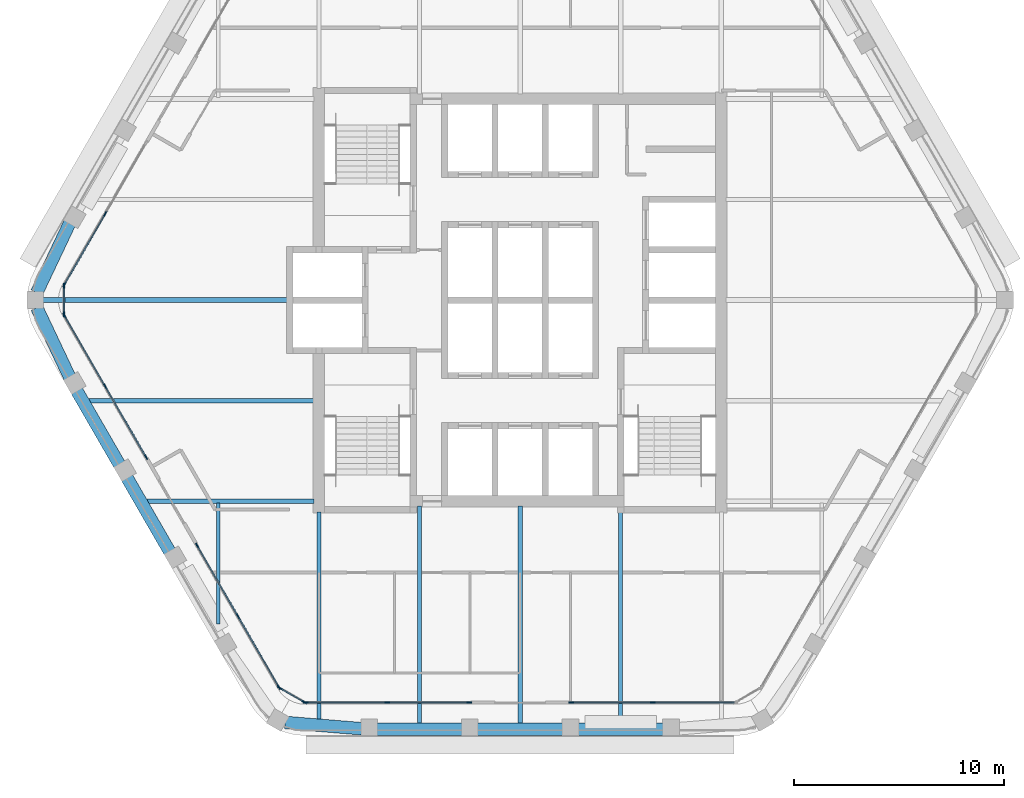
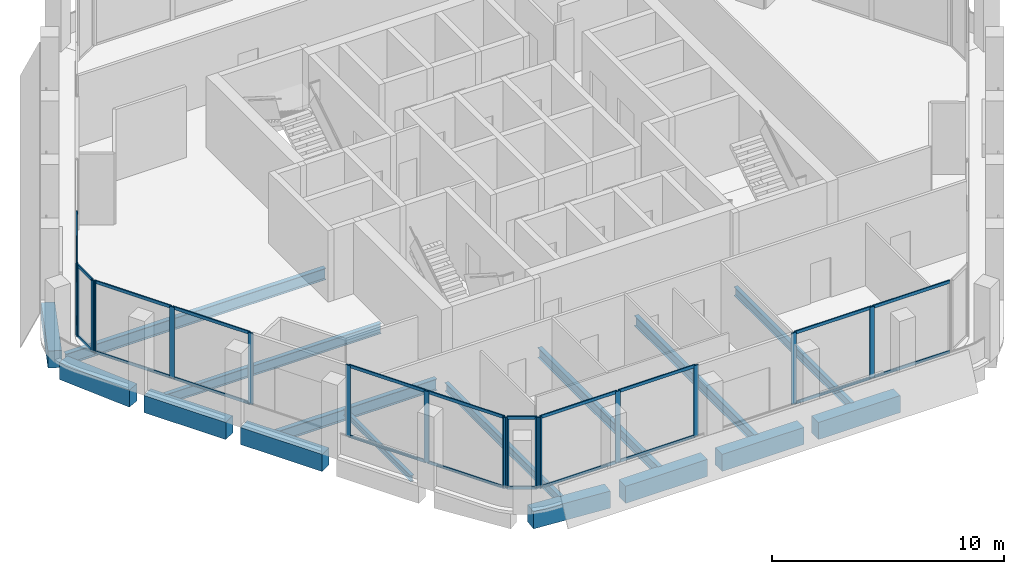
# One storey, part 2 of 13: 39 members, 16 beams, 7 elements without a shape of their own.
"""IFC4 building model written with IfcOpenShell, lengths in metres."""

from ifc_helpers import new_model, si_unit, direction, frame, origin, origin_2d, place, context, subcontext, project, spatial, rectangle, i_section, extrude, material, material_profile, profile_set, type_object, element, aggregate, save


model = new_model("IFC4")

# Units and contexts
model_context = context("Model", 3, precision=1e-05, world=origin(), true_north=direction((0.0, 1.0)))
body_context = subcontext(model_context, "Body", "Model", "MODEL_VIEW")
ifc_project = project(units=[si_unit("LENGTHUNIT", "METRE"), si_unit("AREAUNIT", "SQUARE_METRE"), si_unit("VOLUMEUNIT", "CUBIC_METRE"), si_unit("PLANEANGLEUNIT", "RADIAN"), si_unit("MASSUNIT", "GRAM", prefix="KILO")], contexts=[model_context])

# Site, building, storey
site_placement = place(None, origin())
site = spatial("IfcSite", under=ifc_project, at=site_placement, CompositionType="ELEMENT")
building_placement = place(site_placement, origin())
building = spatial("IfcBuilding", under=site, at=building_placement, Name="Kolab Exchange Tower", CompositionType="ELEMENT")
storey_placement = place(building_placement, frame((0.0, 0.0, 273.5)))
storey = spatial("IfcBuildingStorey", under=building, at=storey_placement, Name="L61", CompositionType="ELEMENT", Elevation=273.5)

# Beams
ifc_material_1 = material(Name="Steel S355", Category="steel")
ifc_material_profile_1 = material_profile(ifc_material_1, i_section(OverallWidth=0.1650390625, OverallDepth=0.31005859375, WebThickness=0.005859375, FlangeThickness=0.009765625, at=origin_2d()), Name="W310X39")
ifc_profile_set_1 = profile_set([ifc_material_profile_1], Name="Steel S355")
beam_type_1 = type_object("IfcBeamType", Name="FLOOR BEAM W310X39", PredefinedType="BEAM", material=ifc_profile_set_1)
beam_1_placement = place(storey_placement, frame((-14.39990234375, -15.4677734375, -0.304931640625), z_axis=(0.0, 1.0, 0.0), x_axis=(-1.0, 0.0, 0.0)))
element("IfcBeam", 1, at=beam_1_placement, inside=storey, type_object=beam_type_1, Name="beam/L61/fr/003", PredefinedType="BEAM", context=body_context, shape_type="SweptSolid", body=[
    extrude(i_section(OverallWidth=0.1650390625, OverallDepth=0.31005859375, WebThickness=0.005859375, FlangeThickness=0.009765625, at=origin_2d()), origin(), (0.0, 0.0, 1.0), 5.793701171875),
])
ifc_material_profile_2 = material_profile(ifc_material_1, i_section(OverallWidth=0.18994140625, OverallDepth=0.45703125, WebThickness=0.009033203125, FlangeThickness=0.014404296875, at=origin_2d()), Name="W460X74")
ifc_profile_set_2 = profile_set([ifc_material_profile_2], Name="Steel S355")
beam_type_2 = type_object("IfcBeamType", Name="FLOOR BEAM W460X74", PredefinedType="BEAM", material=ifc_profile_set_2)
beam_2_placement = place(storey_placement, frame((-9.60009765625, -20.027099609375, -0.37841796875), z_axis=(0.0, 1.0, 0.0), x_axis=(-1.0, 0.0, 0.0)))
element("IfcBeam", 2, at=beam_2_placement, inside=storey, type_object=beam_type_2, Name="beam/L61/fr/005", PredefinedType="BEAM", context=body_context, shape_type="SweptSolid", body=[
    extrude(i_section(OverallWidth=0.18994140625, OverallDepth=0.45703125, WebThickness=0.009033203125, FlangeThickness=0.014404296875, at=origin_2d()), origin(), (0.0, 0.0, 1.0), 9.9169921875),
])
beam_3_placement = place(storey_placement, frame((4.800048828125, -20.224609375, -0.37841796875), z_axis=(0.0, 1.0, 0.0), x_axis=(-1.0, 0.0, 0.0)))
element("IfcBeam", 3, at=beam_3_placement, inside=storey, type_object=beam_type_2, Name="beam/L61/fr/011", PredefinedType="BEAM", context=body_context, shape_type="SweptSolid", body=[
    extrude(i_section(OverallWidth=0.18994140625, OverallDepth=0.45703125, WebThickness=0.009033203125, FlangeThickness=0.014404296875, at=origin_2d()), origin(), (0.0, 0.0, 1.0), 10.114501953125),
])
ifc_material_profile_3 = material_profile(ifc_material_1, i_section(OverallWidth=0.208984375, OverallDepth=0.532958984375, WebThickness=0.01025390625, FlangeThickness=0.015625, at=origin_2d()), Name="W530X92")
ifc_profile_set_3 = profile_set([ifc_material_profile_3], Name="Steel S355")
beam_type_3 = type_object("IfcBeamType", Name="FLOOR BEAM W530X92", PredefinedType="BEAM", material=ifc_profile_set_3)
beam_4_placement = place(storey_placement, frame((-20.575927734375, -4.800048828125, -0.41650390625), z_axis=(1.0, 0.0, 0.0), x_axis=(0.0, 1.0, 0.0)))
element("IfcBeam", 4, at=beam_4_placement, inside=storey, type_object=beam_type_3, Name="beam/L61/fr/001", PredefinedType="BEAM", context=body_context, shape_type="SweptSolid", body=[
    extrude(i_section(OverallWidth=0.208984375, OverallDepth=0.532958984375, WebThickness=0.01025390625, FlangeThickness=0.015625, at=origin_2d()), origin(), (0.0, 0.0, 1.0), 10.740966796875),
])
for number, where, z_axis, x_axis, name in (
    (5, (-4.800048828125, -20.224609375, -0.41650390625), (0.0, 1.0, 0.0), (-1.0, 0.0, 0.0), "beam/L61/fr/007"),
    (6, (0.0, -20.224609375, -0.41650390625), (0.0, 1.0, 0.0), (-1.0, 0.0, 0.0), "beam/L61/fr/009"),
):
    element("IfcBeam", number, at=place(storey_placement, frame(where, z_axis=z_axis, x_axis=x_axis)), inside=storey, type_object=beam_type_3, Name=name, PredefinedType="BEAM", context=body_context, shape_type="SweptSolid", body=[
        extrude(i_section(OverallWidth=0.208984375, OverallDepth=0.532958984375, WebThickness=0.01025390625, FlangeThickness=0.015625, at=origin_2d()), origin(), (0.0, 0.0, 1.0), 10.3896484375),
    ])
ifc_material_profile_4 = material_profile(ifc_material_1, i_section(OverallWidth=0.22802734375, OverallDepth=0.60791015625, WebThickness=0.01123046875, FlangeThickness=0.017333984375, at=origin_2d()), Name="W610X113")
ifc_profile_set_4 = profile_set([ifc_material_profile_4], Name="Steel S355")
beam_type_4 = type_object("IfcBeamType", Name="FLOOR BEAM W610X113", PredefinedType="BEAM", material=ifc_profile_set_4)
beam_5_placement = place(storey_placement, frame((-22.77587890625, 0.0, -0.4541015625), z_axis=(1.0, 0.0, 0.0), x_axis=(0.0, 1.0, 0.0)))
element("IfcBeam", 7, at=beam_5_placement, inside=storey, type_object=beam_type_4, Name="beam/L61/fr/000", PredefinedType="BEAM", context=body_context, shape_type="SweptSolid", body=[
    extrude(i_section(OverallWidth=0.22802734375, OverallDepth=0.60791015625, WebThickness=0.01123046875, FlangeThickness=0.017333984375, at=origin_2d()), origin(), (0.0, 0.0, 1.0), 12.94091796875),
])
ifc_material_profile_5 = material_profile(ifc_material_1, i_section(OverallWidth=0.22802734375, OverallDepth=0.60791015625, WebThickness=0.01123046875, FlangeThickness=0.017333984375, at=origin_2d()), Name="W610X113")
ifc_profile_set_5 = profile_set([ifc_material_profile_5], Name="Steel S355")
beam_type_5 = type_object("IfcBeamType", Name="FLOOR GIRDER W610X113", PredefinedType="BEAM", material=ifc_profile_set_5)
beam_6_placement = place(storey_placement, frame((-17.8046875, -9.60009765625, -0.4541015625), z_axis=(1.0, 0.0, 0.0), x_axis=(0.0, 1.0, 0.0)))
element("IfcBeam", 8, at=beam_6_placement, inside=storey, type_object=beam_type_5, Name="beam/L61/gd/000", PredefinedType="BEAM", context=body_context, shape_type="SweptSolid", body=[
    extrude(i_section(OverallWidth=0.22802734375, OverallDepth=0.60791015625, WebThickness=0.01123046875, FlangeThickness=0.017333984375, at=origin_2d()), origin(), (0.0, 0.0, 1.0), 7.9697265625),
])
ifc_material_2 = material(Name="Concrete C50/60", Category="concrete")
ifc_material_profile_6 = material_profile(ifc_material_2, rectangle(XDim=0.60009765625, YDim=0.89990234375, at=origin_2d()), Name="RC600X900")
ifc_profile_set_6 = profile_set([ifc_material_profile_6], Name="Concrete C50/60")
beam_type_6 = type_object("IfcBeamType", Name="SPANDREL BEAM 600X900 C50/60", PredefinedType="BEAM", material=ifc_profile_set_6)
for number, where, z_axis, x_axis, name in (
    (9, (6.840087890625, -20.484619140625, -0.60009765625), (-1.0, 0.0, 0.0), (0.0, -1.0, 0.0), "beam/L61/sp/F4-02"),
    (10, (2.0400390625, -20.484619140625, -0.60009765625), (-1.0, 0.0, 0.0), (0.0, -1.0, 0.0), "beam/L61/sp/F4-03"),
    (11, (-2.760009765625, -20.484619140625, -0.60009765625), (-1.0, 0.0, 0.0), (0.0, -1.0, 0.0), "beam/L61/sp/F4-04"),
):
    element("IfcBeam", number, at=place(storey_placement, frame(where, z_axis=z_axis, x_axis=x_axis)), inside=storey, type_object=beam_type_6, Name=name, PredefinedType="BEAM", context=body_context, shape_type="SweptSolid", body=[
        extrude(rectangle(XDim=0.60009765625, YDim=0.89990234375, at=origin_2d()), origin(), (0.0, 0.0, 1.0), 4.080078125),
    ])
beam_7_placement = place(storey_placement, frame((-7.56005859375, -20.455078125, -0.60009765625), z_axis=(-0.996666751878, 0.081580547323, 0.0), x_axis=(-0.081580547323, -0.996666751878, 0.0)))
element("IfcBeam", 12, at=beam_7_placement, inside=storey, type_object=beam_type_6, Name="beam/L61/sp/F4-05", PredefinedType="BEAM", context=body_context, shape_type="SweptSolid", body=[
    extrude(rectangle(XDim=0.60009765625, YDim=0.89990234375, at=origin_2d()), origin(), (0.0, 0.0, 1.0), 3.6689453125),
])
for number, where, z_axis, x_axis, name in (
    (13, (-16.72021484375, -12.009033203125, -0.60009765625), (-0.500000428765, 0.866025156237, 0.0), (-0.866025156237, -0.500000428765, 0.0), "beam/L61/sp/F5-03"),
    (14, (-19.1201171875, -7.85205078125, -0.60009765625), (-0.500000428765, 0.866025156237, 0.0), (-0.866025156237, -0.500000428765, 0.0), "beam/L61/sp/F5-04"),
):
    element("IfcBeam", number, at=place(storey_placement, frame(where, z_axis=z_axis, x_axis=x_axis)), inside=storey, type_object=beam_type_6, Name=name, PredefinedType="BEAM", context=body_context, shape_type="SweptSolid", body=[
        extrude(rectangle(XDim=0.60009765625, YDim=0.89990234375, at=origin_2d()), origin(), (0.0, 0.0, 1.0), 4.080078125),
    ])
for number, where, z_axis, x_axis, name in (
    (15, (-21.49462890625, -3.68017578125, -0.60009765625), (-0.427677251998, 0.903931506323, 0.0), (-0.903931506323, -0.427677251998, 0.0), "beam/L61/sp/F5-05"),
    (16, (-23.063720703125, 0.36376953125, -0.60009765625), (0.427677251998, 0.903931506323, 0.0), (-0.903931506323, 0.427677251998, 0.0), "beam/L61/sp/F6-01"),
):
    element("IfcBeam", number, at=place(storey_placement, frame(where, z_axis=z_axis, x_axis=x_axis)), inside=storey, type_object=beam_type_6, Name=name, PredefinedType="BEAM", context=body_context, shape_type="SweptSolid", body=[
        extrude(rectangle(XDim=0.60009765625, YDim=0.89990234375, at=origin_2d()), origin(), (0.0, 0.0, 1.0), 3.6689453125),
    ])

# Curtain wall, members
ifc_material_3 = material(Name="Aluminium EN AW-6063 T6", Category="aluminium")
curtain_wall_type = type_object("IfcCurtainWallType", Name="UNITISED HIGH ZONE CURTAIN WALL", PredefinedType="NOTDEFINED", material=ifc_material_3)
curtain_wall_1_placement = place(storey_placement, origin())
curtain_wall_1 = element("IfcCurtainWall", 17, at=curtain_wall_1_placement, inside=storey, type_object=curtain_wall_type, Name="cw/L61/F4-1", PredefinedType="NOTDEFINED")
ifc_material_profile_7 = material_profile(ifc_material_3, rectangle(XDim=0.06005859375, YDim=0.239990234375, at=origin_2d()), Name="RECT 60X240")
ifc_profile_set_7 = profile_set([ifc_material_profile_7], Name="Aluminium EN AW-6063 T6")
member_type_1 = type_object("IfcMemberType", Name="UNITISED HIGH ZONE MULLION 60 X 240", PredefinedType="MULLION", material=ifc_profile_set_7)
member_1_placement = place(storey_placement, frame((6.333984375, -19.20458984375, 0.0), z_axis=(0.0, 0.0, 1.0), x_axis=(0.0, -1.0, 0.0)))
member_1 = element("IfcMember", 18, at=member_1_placement, type_object=member_type_1, Name="CW4 mullion 2", PredefinedType="MULLION", context=body_context, shape_type="SweptSolid", body=[
    extrude(rectangle(XDim=0.06005859375, YDim=0.239990234375, at=origin_2d()), origin(), (0.0, 0.0, 1.0), 3.75),
])
member_2_placement = place(storey_placement, frame((2.429931640625, -19.20458984375, 0.0), z_axis=(0.0, 0.0, 1.0), x_axis=(0.0, -1.0, 0.0)))
member_2 = element("IfcMember", 19, at=member_2_placement, type_object=member_type_1, Name="CW4 mullion 3", PredefinedType="MULLION", context=body_context, shape_type="SweptSolid", body=[
    extrude(rectangle(XDim=0.06005859375, YDim=0.239990234375, at=origin_2d()), origin(), (0.0, 0.0, 1.0), 3.75),
])

curtain_wall_2_placement = place(storey_placement, origin())
curtain_wall_2 = element("IfcCurtainWall", 20, at=curtain_wall_2_placement, inside=storey, type_object=curtain_wall_type, Name="cw/L61/F4-2", PredefinedType="NOTDEFINED")
member_3_placement = place(storey_placement, frame((-2.429931640625, -19.20458984375, 0.0), z_axis=(0.0, 0.0, 1.0), x_axis=(0.0, -1.0, 0.0)))
member_3 = element("IfcMember", 21, at=member_3_placement, type_object=member_type_1, Name="CW4 mullion 1", PredefinedType="MULLION", context=body_context, shape_type="SweptSolid", body=[
    extrude(rectangle(XDim=0.06005859375, YDim=0.239990234375, at=origin_2d()), origin(), (0.0, 0.0, 1.0), 3.75),
])
member_4_placement = place(storey_placement, frame((-6.333984375, -19.20458984375, 0.0), z_axis=(0.0, 0.0, 1.0), x_axis=(0.0, -1.0, 0.0)))
member_4 = element("IfcMember", 22, at=member_4_placement, type_object=member_type_1, Name="CW4 mullion 2", PredefinedType="MULLION", context=body_context, shape_type="SweptSolid", body=[
    extrude(rectangle(XDim=0.06005859375, YDim=0.239990234375, at=origin_2d()), origin(), (0.0, 0.0, 1.0), 3.75),
])
member_5_placement = place(storey_placement, frame((-10.238037109375, -19.20458984375, 0.0), z_axis=(0.0, 0.0, 1.0), x_axis=(0.0, -1.0, 0.0)))
member_5 = element("IfcMember", 23, at=member_5_placement, type_object=member_type_1, Name="CW4 mullion 3", PredefinedType="MULLION", context=body_context, shape_type="SweptSolid", body=[
    extrude(rectangle(XDim=0.06005859375, YDim=0.239990234375, at=origin_2d()), origin(), (0.0, 0.0, 1.0), 3.75),
])

curtain_wall_3_placement = place(storey_placement, origin())
curtain_wall_3 = element("IfcCurtainWall", 24, at=curtain_wall_3_placement, inside=storey, type_object=curtain_wall_type, Name="cw/L61/F5-1", PredefinedType="NOTDEFINED")
member_6_placement = place(storey_placement, frame((-11.5126953125, -18.46875, 0.0), z_axis=(0.0, 0.0, 1.0), x_axis=(-0.866025385493, -0.500000031681, 0.0)))
member_6 = element("IfcMember", 25, at=member_6_placement, type_object=member_type_1, Name="CW4 mullion 1", PredefinedType="MULLION", context=body_context, shape_type="SweptSolid", body=[
    extrude(rectangle(XDim=0.06005859375, YDim=0.239990234375, at=origin_2d()), origin(), (0.0, 0.0, 1.0), 3.75),
])
member_7_placement = place(storey_placement, frame((-13.464599609375, -15.087646484375, 0.0), z_axis=(0.0, 0.0, 1.0), x_axis=(-0.866025385493, -0.500000031681, 0.0)))
member_7 = element("IfcMember", 26, at=member_7_placement, type_object=member_type_1, Name="CW4 mullion 2", PredefinedType="MULLION", context=body_context, shape_type="SweptSolid", body=[
    extrude(rectangle(XDim=0.06005859375, YDim=0.239990234375, at=origin_2d()), origin(), (0.0, 0.0, 1.0), 3.75),
])
member_8_placement = place(storey_placement, frame((-15.416748046875, -11.706787109375, 0.0), z_axis=(0.0, 0.0, 1.0), x_axis=(-0.866025385493, -0.500000031681, 0.0)))
member_8 = element("IfcMember", 27, at=member_8_placement, type_object=member_type_1, Name="CW4 mullion 3", PredefinedType="MULLION", context=body_context, shape_type="SweptSolid", body=[
    extrude(rectangle(XDim=0.06005859375, YDim=0.239990234375, at=origin_2d()), origin(), (0.0, 0.0, 1.0), 3.75),
])

curtain_wall_4_placement = place(storey_placement, origin())
curtain_wall_4 = element("IfcCurtainWall", 28, at=curtain_wall_4_placement, inside=storey, type_object=curtain_wall_type, Name="cw/L61/F5-2", PredefinedType="NOTDEFINED")
member_9_placement = place(storey_placement, frame((-17.8466796875, -7.497802734375, 0.0), z_axis=(0.0, 0.0, 1.0), x_axis=(-0.866025440524, -0.499999936366, 0.0)))
member_9 = element("IfcMember", 29, at=member_9_placement, type_object=member_type_1, Name="CW4 mullion 1", PredefinedType="MULLION", context=body_context, shape_type="SweptSolid", body=[
    extrude(rectangle(XDim=0.06005859375, YDim=0.239990234375, at=origin_2d()), origin(), (0.0, 0.0, 1.0), 3.75),
])
member_10_placement = place(storey_placement, frame((-19.798583984375, -4.116943359375, 0.0), z_axis=(0.0, 0.0, 1.0), x_axis=(-0.866025440524, -0.499999936366, 0.0)))
member_10 = element("IfcMember", 30, at=member_10_placement, type_object=member_type_1, Name="CW4 mullion 2", PredefinedType="MULLION", context=body_context, shape_type="SweptSolid", body=[
    extrude(rectangle(XDim=0.06005859375, YDim=0.239990234375, at=origin_2d()), origin(), (0.0, 0.0, 1.0), 3.75),
])
member_11_placement = place(storey_placement, frame((-21.750732421875, -0.736083984375, 0.0), z_axis=(0.0, 0.0, 1.0), x_axis=(-0.866025440524, -0.499999936366, 0.0)))
member_11 = element("IfcMember", 31, at=member_11_placement, type_object=member_type_1, Name="CW4 mullion 3", PredefinedType="MULLION", context=body_context, shape_type="SweptSolid", body=[
    extrude(rectangle(XDim=0.06005859375, YDim=0.239990234375, at=origin_2d()), origin(), (0.0, 0.0, 1.0), 3.75),
])

curtain_wall_5_placement = place(storey_placement, origin())
curtain_wall_5 = element("IfcCurtainWall", 32, at=curtain_wall_5_placement, inside=storey, type_object=curtain_wall_type, Name="cw/L61/F6-1", PredefinedType="NOTDEFINED")
member_12_placement = place(storey_placement, frame((-21.750732421875, 0.736083984375, 0.0), z_axis=(0.0, 0.0, 1.0), x_axis=(-0.866025440524, 0.499999936366, 0.0)))
member_12 = element("IfcMember", 33, at=member_12_placement, type_object=member_type_1, Name="CW4 mullion 1", PredefinedType="MULLION", context=body_context, shape_type="SweptSolid", body=[
    extrude(rectangle(XDim=0.06005859375, YDim=0.239990234375, at=origin_2d()), origin(), (0.0, 0.0, 1.0), 3.75),
])
member_13_placement = place(storey_placement, frame((-19.798583984375, 4.116943359375, 0.0), z_axis=(0.0, 0.0, 1.0), x_axis=(-0.866025440524, 0.499999936366, 0.0)))
member_13 = element("IfcMember", 34, at=member_13_placement, type_object=member_type_1, Name="CW4 mullion 2", PredefinedType="MULLION", context=body_context, shape_type="SweptSolid", body=[
    extrude(rectangle(XDim=0.06005859375, YDim=0.239990234375, at=origin_2d()), origin(), (0.0, 0.0, 1.0), 3.75),
])

curtain_wall_6_placement = place(storey_placement, origin())
curtain_wall_6 = element("IfcCurtainWall", 35, at=curtain_wall_6_placement, inside=storey, type_object=curtain_wall_type, Name="cw/L61/F4F5-corner", PredefinedType="NOTDEFINED")
member_14_placement = place(storey_placement, frame((-10.2939453125, -19.189697265625, 0.0), z_axis=(0.0, 0.0, 1.0), x_axis=(-0.50000002237, -0.866025390869, 0.0)))
member_14 = element("IfcMember", 36, at=member_14_placement, type_object=member_type_1, Name="CW4 mullion 1", PredefinedType="MULLION", context=body_context, shape_type="SweptSolid", body=[
    extrude(rectangle(XDim=0.06005859375, YDim=0.239990234375, at=origin_2d()), origin(), (0.0, 0.0, 1.0), 3.75),
])
member_15_placement = place(storey_placement, frame((-11.4716796875, -18.509521484375, 0.0), z_axis=(0.0, 0.0, 1.0), x_axis=(-0.50000002237, -0.866025390869, 0.0)))
member_15 = element("IfcMember", 37, at=member_15_placement, type_object=member_type_1, Name="CW4 mullion 2", PredefinedType="MULLION", context=body_context, shape_type="SweptSolid", body=[
    extrude(rectangle(XDim=0.06005859375, YDim=0.239990234375, at=origin_2d()), origin(), (0.0, 0.0, 1.0), 3.75),
])

curtain_wall_7_placement = place(storey_placement, origin())
curtain_wall_7 = element("IfcCurtainWall", 38, at=curtain_wall_7_placement, inside=storey, type_object=curtain_wall_type, Name="cw/L61/F5F6-corner", PredefinedType="NOTDEFINED")
member_16_placement = place(storey_placement, frame((-21.765625, -0.679931640625, 0.0), z_axis=(0.0, 0.0, 1.0), x_axis=(-1.0, 0.0, 0.0)))
member_16 = element("IfcMember", 39, at=member_16_placement, type_object=member_type_1, Name="CW4 mullion 1", PredefinedType="MULLION", context=body_context, shape_type="SweptSolid", body=[
    extrude(rectangle(XDim=0.06005859375, YDim=0.239990234375, at=origin_2d()), origin(), (0.0, 0.0, 1.0), 3.75),
])
member_17_placement = place(storey_placement, frame((-21.765625, 0.679931640625, 0.0), z_axis=(0.0, 0.0, 1.0), x_axis=(-1.0, 0.0, 0.0)))
member_17 = element("IfcMember", 40, at=member_17_placement, type_object=member_type_1, Name="CW4 mullion 2", PredefinedType="MULLION", context=body_context, shape_type="SweptSolid", body=[
    extrude(rectangle(XDim=0.06005859375, YDim=0.239990234375, at=origin_2d()), origin(), (0.0, 0.0, 1.0), 3.75),
])

# Member
ifc_material_profile_8 = material_profile(ifc_material_3, rectangle(XDim=0.06005859375, YDim=0.159912109375, at=origin_2d()), Name="RECT 60X160")
ifc_profile_set_8 = profile_set([ifc_material_profile_8], Name="Aluminium EN AW-6063 T6")
member_type_2 = type_object("IfcMemberType", Name="UNITISED HIGH ZONE TRANSOM 60 X 160", PredefinedType="USERDEFINED", material=ifc_profile_set_8)
member_18_placement = place(storey_placement, frame((10.2080078125, -19.20458984375, 0.030029296875), z_axis=(-1.0, 0.0, 0.0), x_axis=(0.0, -1.0, 0.0)))
member_18 = element("IfcMember", 41, at=member_18_placement, type_object=member_type_2, Name="CW4 transom 1.1", ObjectType="TRANSOM", PredefinedType="USERDEFINED", context=body_context, shape_type="SweptSolid", body=[
    extrude(rectangle(XDim=0.06005859375, YDim=0.159912109375, at=origin_2d()), origin(), (0.0, 0.0, 1.0), 3.843994140625),
])

member_19_placement = place(storey_placement, frame((10.2080078125, -19.20458984375, 3.719970703125), z_axis=(-1.0, 0.0, 0.0), x_axis=(0.0, -1.0, 0.0)))
member_19 = element("IfcMember", 42, at=member_19_placement, type_object=member_type_2, Name="CW4 transom 1.2", ObjectType="TRANSOM", PredefinedType="USERDEFINED", context=body_context, shape_type="SweptSolid", body=[
    extrude(rectangle(XDim=0.06005859375, YDim=0.159912109375, at=origin_2d()), origin(), (0.0, 0.0, 1.0), 3.843994140625),
])

member_20_placement = place(storey_placement, frame((6.303955078125, -19.20458984375, 0.030029296875), z_axis=(-1.0, 0.0, 0.0), x_axis=(0.0, -1.0, 0.0)))
member_20 = element("IfcMember", 43, at=member_20_placement, type_object=member_type_2, Name="CW4 transom 2.1", ObjectType="TRANSOM", PredefinedType="USERDEFINED", context=body_context, shape_type="SweptSolid", body=[
    extrude(rectangle(XDim=0.06005859375, YDim=0.159912109375, at=origin_2d()), origin(), (0.0, 0.0, 1.0), 3.843994140625),
])

member_21_placement = place(storey_placement, frame((6.303955078125, -19.20458984375, 3.719970703125), z_axis=(-1.0, 0.0, 0.0), x_axis=(0.0, -1.0, 0.0)))
member_21 = element("IfcMember", 44, at=member_21_placement, type_object=member_type_2, Name="CW4 transom 2.2", ObjectType="TRANSOM", PredefinedType="USERDEFINED", context=body_context, shape_type="SweptSolid", body=[
    extrude(rectangle(XDim=0.06005859375, YDim=0.159912109375, at=origin_2d()), origin(), (0.0, 0.0, 1.0), 3.843994140625),
])

aggregate(curtain_wall_1, [member_1, member_2, member_18, member_19, member_20, member_21])

member_22_placement = place(storey_placement, frame((-2.4599609375, -19.20458984375, 0.030029296875), z_axis=(-1.0, 0.0, 0.0), x_axis=(0.0, -1.0, 0.0)))
member_22 = element("IfcMember", 45, at=member_22_placement, type_object=member_type_2, Name="CW4 transom 1.1", ObjectType="TRANSOM", PredefinedType="USERDEFINED", context=body_context, shape_type="SweptSolid", body=[
    extrude(rectangle(XDim=0.06005859375, YDim=0.159912109375, at=origin_2d()), origin(), (0.0, 0.0, 1.0), 3.843994140625),
])

member_23_placement = place(storey_placement, frame((-2.4599609375, -19.20458984375, 3.719970703125), z_axis=(-1.0, 0.0, 0.0), x_axis=(0.0, -1.0, 0.0)))
member_23 = element("IfcMember", 46, at=member_23_placement, type_object=member_type_2, Name="CW4 transom 1.2", ObjectType="TRANSOM", PredefinedType="USERDEFINED", context=body_context, shape_type="SweptSolid", body=[
    extrude(rectangle(XDim=0.06005859375, YDim=0.159912109375, at=origin_2d()), origin(), (0.0, 0.0, 1.0), 3.843994140625),
])

member_24_placement = place(storey_placement, frame((-6.364013671875, -19.20458984375, 0.030029296875), z_axis=(-1.0, 0.0, 0.0), x_axis=(0.0, -1.0, 0.0)))
member_24 = element("IfcMember", 47, at=member_24_placement, type_object=member_type_2, Name="CW4 transom 2.1", ObjectType="TRANSOM", PredefinedType="USERDEFINED", context=body_context, shape_type="SweptSolid", body=[
    extrude(rectangle(XDim=0.06005859375, YDim=0.159912109375, at=origin_2d()), origin(), (0.0, 0.0, 1.0), 3.843994140625),
])

member_25_placement = place(storey_placement, frame((-6.364013671875, -19.20458984375, 3.719970703125), z_axis=(-1.0, 0.0, 0.0), x_axis=(0.0, -1.0, 0.0)))
member_25 = element("IfcMember", 48, at=member_25_placement, type_object=member_type_2, Name="CW4 transom 2.2", ObjectType="TRANSOM", PredefinedType="USERDEFINED", context=body_context, shape_type="SweptSolid", body=[
    extrude(rectangle(XDim=0.06005859375, YDim=0.159912109375, at=origin_2d()), origin(), (0.0, 0.0, 1.0), 3.843994140625),
])

aggregate(curtain_wall_2, [member_3, member_4, member_5, member_22, member_23, member_24, member_25])

member_26_placement = place(storey_placement, frame((-11.527587890625, -18.442626953125, 0.030029296875), z_axis=(-0.500039492609, 0.866002601515, 0.0), x_axis=(-0.866002601515, -0.500039492609, 0.0)))
member_26 = element("IfcMember", 49, at=member_26_placement, type_object=member_type_2, Name="CW4 transom 1.1", ObjectType="TRANSOM", PredefinedType="USERDEFINED", context=body_context, shape_type="SweptSolid", body=[
    extrude(rectangle(XDim=0.06005859375, YDim=0.159912109375, at=origin_2d()), origin(), (0.0, 0.0, 1.0), 3.843994140625),
])

member_27_placement = place(storey_placement, frame((-11.527587890625, -18.442626953125, 3.719970703125), z_axis=(-0.500039492609, 0.866002601515, 0.0), x_axis=(-0.866002601515, -0.500039492609, 0.0)))
member_27 = element("IfcMember", 50, at=member_27_placement, type_object=member_type_2, Name="CW4 transom 1.2", ObjectType="TRANSOM", PredefinedType="USERDEFINED", context=body_context, shape_type="SweptSolid", body=[
    extrude(rectangle(XDim=0.06005859375, YDim=0.159912109375, at=origin_2d()), origin(), (0.0, 0.0, 1.0), 3.843994140625),
])

member_28_placement = place(storey_placement, frame((-13.479736328125, -15.061767578125, 0.030029296875), z_axis=(-0.499964356602, 0.866045981532, 0.0), x_axis=(-0.866045981532, -0.499964356602, 0.0)))
member_28 = element("IfcMember", 51, at=member_28_placement, type_object=member_type_2, Name="CW4 transom 2.1", ObjectType="TRANSOM", PredefinedType="USERDEFINED", context=body_context, shape_type="SweptSolid", body=[
    extrude(rectangle(XDim=0.06005859375, YDim=0.159912109375, at=origin_2d()), origin(), (0.0, 0.0, 1.0), 3.843994140625),
])

member_29_placement = place(storey_placement, frame((-13.479736328125, -15.061767578125, 3.719970703125), z_axis=(-0.499964356602, 0.866045981532, 0.0), x_axis=(-0.866045981532, -0.499964356602, 0.0)))
member_29 = element("IfcMember", 52, at=member_29_placement, type_object=member_type_2, Name="CW4 transom 2.2", ObjectType="TRANSOM", PredefinedType="USERDEFINED", context=body_context, shape_type="SweptSolid", body=[
    extrude(rectangle(XDim=0.06005859375, YDim=0.159912109375, at=origin_2d()), origin(), (0.0, 0.0, 1.0), 3.843994140625),
])

aggregate(curtain_wall_3, [member_6, member_7, member_8, member_26, member_27, member_28, member_29])

member_30_placement = place(storey_placement, frame((-17.861572265625, -7.471923828125, 0.030029296875), z_axis=(-0.500011990396, 0.866018481016, 0.0), x_axis=(-0.866018481016, -0.500011990396, 0.0)))
member_30 = element("IfcMember", 53, at=member_30_placement, type_object=member_type_2, Name="CW4 transom 1.1", ObjectType="TRANSOM", PredefinedType="USERDEFINED", context=body_context, shape_type="SweptSolid", body=[
    extrude(rectangle(XDim=0.06005859375, YDim=0.159912109375, at=origin_2d()), origin(), (0.0, 0.0, 1.0), 3.84423828125),
])

member_31_placement = place(storey_placement, frame((-17.861572265625, -7.471923828125, 3.719970703125), z_axis=(-0.500011990396, 0.866018481016, 0.0), x_axis=(-0.866018481016, -0.500011990396, 0.0)))
member_31 = element("IfcMember", 54, at=member_31_placement, type_object=member_type_2, Name="CW4 transom 1.2", ObjectType="TRANSOM", PredefinedType="USERDEFINED", context=body_context, shape_type="SweptSolid", body=[
    extrude(rectangle(XDim=0.06005859375, YDim=0.159912109375, at=origin_2d()), origin(), (0.0, 0.0, 1.0), 3.84423828125),
])

member_32_placement = place(storey_placement, frame((-19.813720703125, -4.0908203125, 0.030029296875), z_axis=(-0.499991857942, 0.866030104553, 0.0), x_axis=(-0.866030104553, -0.499991857942, 0.0)))
member_32 = element("IfcMember", 55, at=member_32_placement, type_object=member_type_2, Name="CW4 transom 2.1", ObjectType="TRANSOM", PredefinedType="USERDEFINED", context=body_context, shape_type="SweptSolid", body=[
    extrude(rectangle(XDim=0.06005859375, YDim=0.159912109375, at=origin_2d()), origin(), (0.0, 0.0, 1.0), 3.84375),
])

member_33_placement = place(storey_placement, frame((-19.813720703125, -4.0908203125, 3.719970703125), z_axis=(-0.499991857942, 0.866030104553, 0.0), x_axis=(-0.866030104553, -0.499991857942, 0.0)))
member_33 = element("IfcMember", 56, at=member_33_placement, type_object=member_type_2, Name="CW4 transom 2.2", ObjectType="TRANSOM", PredefinedType="USERDEFINED", context=body_context, shape_type="SweptSolid", body=[
    extrude(rectangle(XDim=0.06005859375, YDim=0.159912109375, at=origin_2d()), origin(), (0.0, 0.0, 1.0), 3.84375),
])

aggregate(curtain_wall_4, [member_9, member_10, member_11, member_30, member_31, member_32, member_33])

member_34_placement = place(storey_placement, frame((-21.735595703125, 0.761962890625, 0.030029296875), z_axis=(0.499991857942, 0.866030104553, 0.0), x_axis=(-0.866030104553, 0.499991857942, 0.0)))
member_34 = element("IfcMember", 57, at=member_34_placement, type_object=member_type_2, Name="CW4 transom 1.1", ObjectType="TRANSOM", PredefinedType="USERDEFINED", context=body_context, shape_type="SweptSolid", body=[
    extrude(rectangle(XDim=0.06005859375, YDim=0.159912109375, at=origin_2d()), origin(), (0.0, 0.0, 1.0), 3.84375),
])

member_35_placement = place(storey_placement, frame((-21.735595703125, 0.761962890625, 3.719970703125), z_axis=(0.499991857942, 0.866030104553, 0.0), x_axis=(-0.866030104553, 0.499991857942, 0.0)))
member_35 = element("IfcMember", 58, at=member_35_placement, type_object=member_type_2, Name="CW4 transom 1.2", ObjectType="TRANSOM", PredefinedType="USERDEFINED", context=body_context, shape_type="SweptSolid", body=[
    extrude(rectangle(XDim=0.06005859375, YDim=0.159912109375, at=origin_2d()), origin(), (0.0, 0.0, 1.0), 3.84375),
])

aggregate(curtain_wall_5, [member_12, member_13, member_34, member_35])

member_36_placement = place(storey_placement, frame((-10.31982421875, -19.174560546875, 0.030029296875), z_axis=(-0.866085525409, 0.49989585183, 0.0), x_axis=(-0.49989585183, -0.866085525409, 0.0)))
member_36 = element("IfcMember", 59, at=member_36_placement, type_object=member_type_2, Name="CW4 transom 1.1", ObjectType="TRANSOM", PredefinedType="USERDEFINED", context=body_context, shape_type="SweptSolid", body=[
    extrude(rectangle(XDim=0.06005859375, YDim=0.159912109375, at=origin_2d()), origin(), (0.0, 0.0, 1.0), 1.300048828125),
])

member_37_placement = place(storey_placement, frame((-10.31982421875, -19.174560546875, 3.719970703125), z_axis=(-0.866085525409, 0.49989585183, 0.0), x_axis=(-0.49989585183, -0.866085525409, 0.0)))
member_37 = element("IfcMember", 60, at=member_37_placement, type_object=member_type_2, Name="CW4 transom 1.2", ObjectType="TRANSOM", PredefinedType="USERDEFINED", context=body_context, shape_type="SweptSolid", body=[
    extrude(rectangle(XDim=0.06005859375, YDim=0.159912109375, at=origin_2d()), origin(), (0.0, 0.0, 1.0), 1.300048828125),
])

aggregate(curtain_wall_6, [member_14, member_15, member_36, member_37])

member_38_placement = place(storey_placement, frame((-21.765625, -0.64990234375, 0.030029296875), z_axis=(0.0, 1.0, 0.0), x_axis=(-1.0, 0.0, 0.0)))
member_38 = element("IfcMember", 61, at=member_38_placement, type_object=member_type_2, Name="CW4 transom 1.1", ObjectType="TRANSOM", PredefinedType="USERDEFINED", context=body_context, shape_type="SweptSolid", body=[
    extrude(rectangle(XDim=0.06005859375, YDim=0.159912109375, at=origin_2d()), origin(), (0.0, 0.0, 1.0), 1.2998046875),
])

member_39_placement = place(storey_placement, frame((-21.765625, -0.64990234375, 3.719970703125), z_axis=(0.0, 1.0, 0.0), x_axis=(-1.0, 0.0, 0.0)))
member_39 = element("IfcMember", 62, at=member_39_placement, type_object=member_type_2, Name="CW4 transom 1.2", ObjectType="TRANSOM", PredefinedType="USERDEFINED", context=body_context, shape_type="SweptSolid", body=[
    extrude(rectangle(XDim=0.06005859375, YDim=0.159912109375, at=origin_2d()), origin(), (0.0, 0.0, 1.0), 1.2998046875),
])

aggregate(curtain_wall_7, [member_16, member_17, member_38, member_39])

save(model, "model.ifc")
